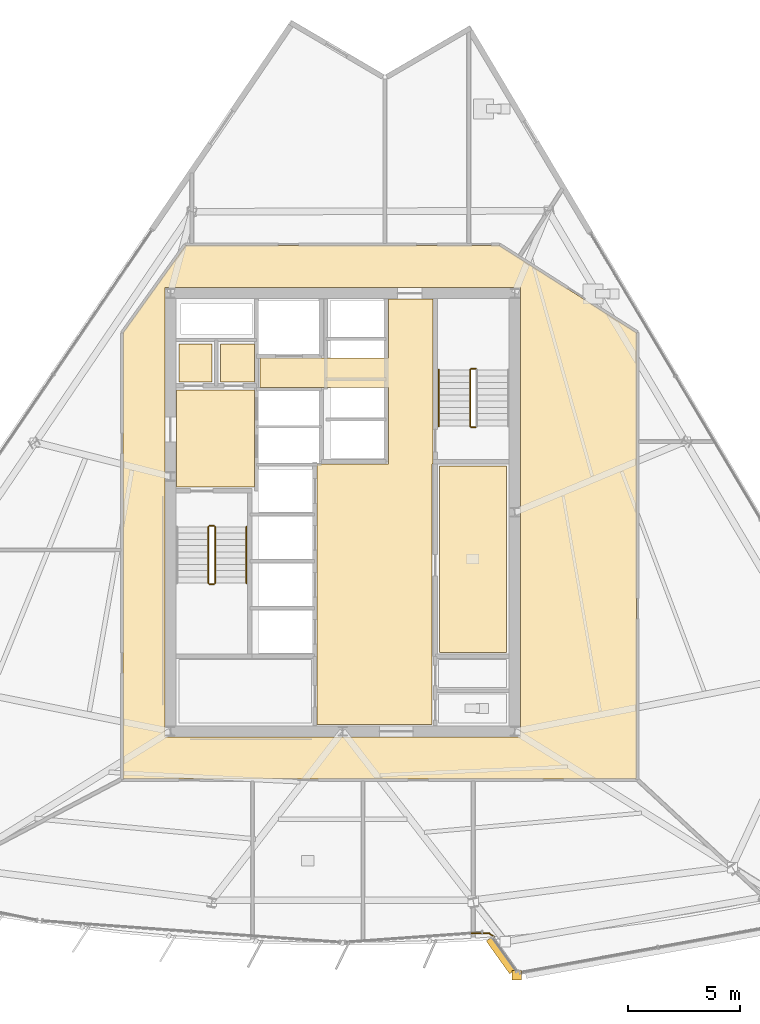
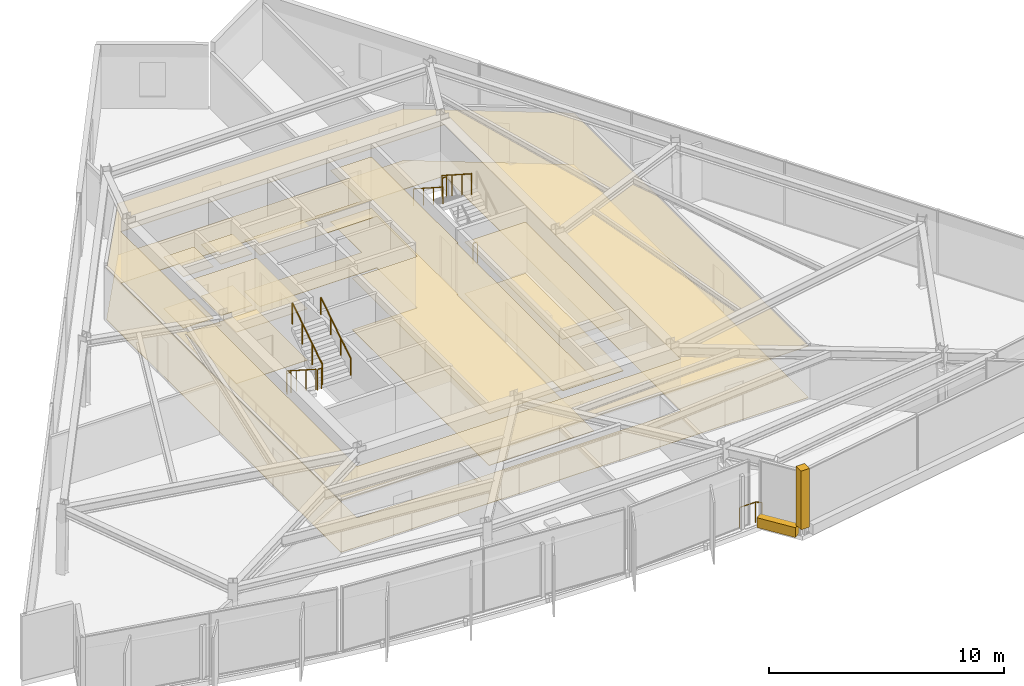
# One storey, part 10 of 12: 14 coverings, 10 railings.
"""IFC4 building model written with IfcOpenShell, lengths in metres."""

from ifc_helpers import new_model, si_unit, direction, frame, origin, origin_2d, place, context, subcontext, project, spatial, polyline, circle, outline, extrude, material, layer, layer_set, type_object, element, save


model = new_model("IFC4")

# Units and contexts
model_context = context("Model", 3, precision=1e-05, world=origin(), true_north=direction((0.0, 1.0)))
body_context = subcontext(model_context, "Body", "Model", "MODEL_VIEW")
ifc_project = project(units=[si_unit("LENGTHUNIT", "METRE"), si_unit("AREAUNIT", "SQUARE_METRE"), si_unit("VOLUMEUNIT", "CUBIC_METRE"), si_unit("PLANEANGLEUNIT", "RADIAN"), si_unit("MASSUNIT", "GRAM", prefix="KILO")], contexts=[model_context])

# Site, building, storey
site_placement = place(None, origin())
site = spatial("IfcSite", under=ifc_project, at=site_placement, CompositionType="ELEMENT")
building_placement = place(site_placement, origin())
building = spatial("IfcBuilding", under=site, at=building_placement, Name="Savorim Split Tower", CompositionType="ELEMENT")
storey_placement = place(building_placement, frame((0.0, 0.0, 171.0)))
storey = spatial("IfcBuildingStorey", under=building, at=storey_placement, Name="L45", CompositionType="ELEMENT", Elevation=171.0)

# Coverings
ifc_material_1 = material(Name="Mineral Fibre Acoustic Ceiling")
ifc_layer_1 = layer(ifc_material_1, 0.02490234375)
ifc_layer_set_1 = layer_set([ifc_layer_1], Name="COV-CEIL-25")
covering_type_1 = type_object("IfcCoveringType", Name="COV-CEIL-25", PredefinedType="CEILING", material=ifc_layer_set_1)
covering_1_placement = place(storey_placement, frame((0.0, 0.0, 2.669921875)))
element("IfcCovering", 1, at=covering_1_placement, inside=storey, type_object=covering_type_1, Name="L45 Firefighting Lift Lobby Acoustic Ceiling", PredefinedType="CEILING", context=body_context, shape_type="SweptSolid", body=[
    extrude(outline(polyline([(-7.429931640625, 5.8701171875), (-7.429931640625, 1.530029296875), (-3.929931640625, 1.530029296875), (-3.929931640625, 5.8701171875), (-7.429931640625, 5.8701171875)])), origin(), (0.0, 0.0, 1.0), 0.025146484375),
])
covering_2_placement = place(storey_placement, frame((0.0, 0.0, 2.669921875)))
element("IfcCovering", 2, at=covering_2_placement, inside=storey, type_object=covering_type_1, Name="L45 Electrical Riser Acoustic Ceiling", PredefinedType="CEILING", context=body_context, shape_type="SweptSolid", body=[
    extrude(outline(polyline([(-7.320068359375, 7.919921875), (-7.320068359375, 6.22998046875), (-5.830078125, 6.22998046875), (-5.830078125, 7.919921875), (-7.320068359375, 7.919921875)])), origin(), (0.0, 0.0, 1.0), 0.025146484375),
])
covering_3_placement = place(storey_placement, frame((0.0, 0.0, 2.669921875)))
element("IfcCovering", 3, at=covering_3_placement, inside=storey, type_object=covering_type_1, Name="L45 Telecom Riser Acoustic Ceiling", PredefinedType="CEILING", context=body_context, shape_type="SweptSolid", body=[
    extrude(outline(polyline([(-5.469970703125, 7.919921875), (-5.469970703125, 6.22998046875), (-3.929931640625, 6.22998046875), (-3.929931640625, 7.919921875), (-5.469970703125, 7.919921875)])), origin(), (0.0, 0.0, 1.0), 0.025146484375),
])
covering_4_placement = place(storey_placement, frame((0.0, 0.0, 2.669921875)))
element("IfcCovering", 4, at=covering_4_placement, inside=storey, type_object=covering_type_1, Name="L45 Lift Lobby Acoustic Ceiling", PredefinedType="CEILING", context=body_context, shape_type="SweptSolid", body=[
    extrude(outline(polyline([(2.050048828125, 2.550048828125), (-1.14990234375, 2.550048828125), (-1.14990234375, -9.10009765625), (4.0, -9.10009765625), (4.0, 2.550048828125), (4.050048828125, 2.550048828125), (4.050048828125, 5.97998046875), (4.050048828125, 7.300048828125), (4.050048828125, 9.929931640625), (2.050048828125, 9.929931640625), (2.050048828125, 7.300048828125), (-3.699951171875, 7.300048828125), (-3.699951171875, 5.97998046875), (2.050048828125, 5.97998046875), (2.050048828125, 2.550048828125)])), origin(), (0.0, 0.0, 1.0), 0.025146484375),
])
covering_5_placement = place(storey_placement, frame((0.0, 0.0, 2.669921875)))
element("IfcCovering", 5, at=covering_5_placement, inside=storey, type_object=covering_type_1, Name="L45 Community Laundry Room Acoustic Ceiling", PredefinedType="CEILING", context=body_context, shape_type="SweptSolid", body=[
    extrude(outline(polyline([(4.330078125, 2.469970703125), (4.330078125, -5.8701171875), (7.320068359375, -5.8701171875), (7.320068359375, 2.469970703125), (4.330078125, 2.469970703125)])), origin(), (0.0, 0.0, 1.0), 0.025146484375),
])
covering_6_placement = place(storey_placement, frame((0.0, 0.0, 2.669921875)))
element("IfcCovering", 6, at=covering_6_placement, inside=storey, type_object=covering_type_1, Name="L45 Corridor Acoustic Ceiling", PredefinedType="CEILING", context=body_context, shape_type="SweptSolid", body=[
    extrude(outline(polyline([(7.009521484375, 12.3291015625), (7.004638671875, 12.329833984375), (7.0, 12.330078125), (-7.0, 12.330078125), (-7.004638671875, 12.329833984375), (-7.009521484375, 12.3291015625), (-7.013916015625, 12.327880859375), (-7.0185546875, 12.326416015625), (-7.022705078125, 12.324462890625), (-7.027099609375, 12.322021484375), (-7.03076171875, 12.3193359375), (-7.034423828125, 12.31640625), (-7.03759765625, 12.312744140625), (-7.04052734375, 12.30908203125), (-9.820556640625, 8.42919921875), (-9.823486328125, 8.4248046875), (-9.82568359375, 8.420166015625), (-9.82763671875, 8.415283203125), (-9.828857421875, 8.410400390625), (-9.82958984375, 8.4052734375), (-9.830078125, 8.39990234375), (-9.830078125, -11.47998046875), (-9.829833984375, -11.48486328125), (-9.8291015625, -11.48974609375), (-9.827880859375, -11.494384765625), (-9.826171875, -11.4990234375), (-9.82421875, -11.503662109375), (-9.821533203125, -11.5078125), (-9.818603515625, -11.51171875), (-9.8154296875, -11.515380859375), (-9.811767578125, -11.518798828125), (-9.807861328125, -11.521484375), (-9.8037109375, -11.524169921875), (-9.799072265625, -11.526123046875), (-9.79443359375, -11.52783203125), (-9.789794921875, -11.529052734375), (-9.784912109375, -11.52978515625), (-9.780029296875, -11.530029296875), (13.10009765625, -11.530029296875), (13.10498046875, -11.52978515625), (13.10986328125, -11.529052734375), (13.114501953125, -11.52783203125), (13.119140625, -11.526123046875), (13.12353515625, -11.524169921875), (13.127685546875, -11.521484375), (13.131591796875, -11.518798828125), (13.135498046875, -11.515380859375), (13.138671875, -11.51171875), (13.1416015625, -11.5078125), (13.14404296875, -11.503662109375), (13.146240234375, -11.4990234375), (13.147705078125, -11.494384765625), (13.14892578125, -11.48974609375), (13.14990234375, -11.48486328125), (13.14990234375, -11.47998046875), (13.14990234375, 8.39990234375), (13.149658203125, 8.405029296875), (13.14892578125, 8.409912109375), (13.147705078125, 8.414794921875), (13.14599609375, 8.41943359375), (13.143798828125, 8.424072265625), (13.14111328125, 8.42822265625), (13.13818359375, 8.432373046875), (13.134765625, 8.43603515625), (13.130859375, 8.439208984375), (13.126708984375, 8.442138671875), (7.02685546875, 12.322265625), (7.022705078125, 12.324462890625), (7.018310546875, 12.326416015625), (7.013916015625, 12.327880859375), (7.009521484375, 12.3291015625)]), holes=[polyline([(-7.949951171875, 10.449951171875), (-7.949951171875, -9.64990234375), (7.949951171875, -9.64990234375), (7.949951171875, 10.449951171875), (-7.949951171875, 10.449951171875)])]), origin(), (0.0, 0.0, 1.0), 0.025146484375),
])
ifc_material_2 = material(Name="Porcelain Stoneware Flooring", Category="masonry")
ifc_layer_2 = layer(ifc_material_2, 0.02001953125)
ifc_layer_set_2 = layer_set([ifc_layer_2], Name="COV-FLOR-20")
covering_type_2 = type_object("IfcCoveringType", Name="COV-FLOR-20", PredefinedType="FLOORING", material=ifc_layer_set_2)
covering_7_placement = place(storey_placement, origin())
element("IfcCovering", 7, at=covering_7_placement, inside=storey, type_object=covering_type_2, Name="L45 Firefighting Lift Lobby Porcelain Flooring", PredefinedType="FLOORING", context=body_context, shape_type="SweptSolid", body=[
    extrude(outline(polyline([(-7.429931640625, 5.8701171875), (-7.429931640625, 1.530029296875), (-3.929931640625, 1.530029296875), (-3.929931640625, 5.8701171875), (-7.429931640625, 5.8701171875)])), origin(), (0.0, 0.0, 1.0), 0.02001953125),
])
covering_8_placement = place(storey_placement, origin())
element("IfcCovering", 8, at=covering_8_placement, inside=storey, type_object=covering_type_2, Name="L45 Electrical Riser Porcelain Flooring", PredefinedType="FLOORING", context=body_context, shape_type="SweptSolid", body=[
    extrude(outline(polyline([(-7.320068359375, 7.919921875), (-7.320068359375, 6.22998046875), (-5.830078125, 6.22998046875), (-5.830078125, 7.919921875), (-7.320068359375, 7.919921875)])), origin(), (0.0, 0.0, 1.0), 0.02001953125),
])
covering_9_placement = place(storey_placement, origin())
element("IfcCovering", 9, at=covering_9_placement, inside=storey, type_object=covering_type_2, Name="L45 Telecom Riser Porcelain Flooring", PredefinedType="FLOORING", context=body_context, shape_type="SweptSolid", body=[
    extrude(outline(polyline([(-5.469970703125, 7.919921875), (-5.469970703125, 6.22998046875), (-3.929931640625, 6.22998046875), (-3.929931640625, 7.919921875), (-5.469970703125, 7.919921875)])), origin(), (0.0, 0.0, 1.0), 0.02001953125),
])
covering_10_placement = place(storey_placement, origin())
element("IfcCovering", 10, at=covering_10_placement, inside=storey, type_object=covering_type_2, Name="L45 Lift Lobby Porcelain Flooring", PredefinedType="FLOORING", context=body_context, shape_type="SweptSolid", body=[
    extrude(outline(polyline([(2.050048828125, 2.550048828125), (-1.14990234375, 2.550048828125), (-1.14990234375, -9.10009765625), (4.0, -9.10009765625), (4.0, 2.550048828125), (4.050048828125, 2.550048828125), (4.050048828125, 5.97998046875), (4.050048828125, 7.300048828125), (4.050048828125, 9.929931640625), (2.050048828125, 9.929931640625), (2.050048828125, 7.300048828125), (-3.699951171875, 7.300048828125), (-3.699951171875, 5.97998046875), (2.050048828125, 5.97998046875), (2.050048828125, 2.550048828125)])), origin(), (0.0, 0.0, 1.0), 0.02001953125),
])
covering_11_placement = place(storey_placement, origin())
element("IfcCovering", 11, at=covering_11_placement, inside=storey, type_object=covering_type_2, Name="L45 Community Laundry Room Porcelain Flooring", PredefinedType="FLOORING", context=body_context, shape_type="SweptSolid", body=[
    extrude(outline(polyline([(4.330078125, 2.469970703125), (4.330078125, -5.8701171875), (7.320068359375, -5.8701171875), (7.320068359375, 2.469970703125), (4.330078125, 2.469970703125)])), origin(), (0.0, 0.0, 1.0), 0.02001953125),
])
covering_12_placement = place(storey_placement, origin())
element("IfcCovering", 12, at=covering_12_placement, inside=storey, type_object=covering_type_2, Name="L45 Corridor Porcelain Flooring", PredefinedType="FLOORING", context=body_context, shape_type="SweptSolid", body=[
    extrude(outline(polyline([(7.009521484375, 12.3291015625), (7.004638671875, 12.329833984375), (7.0, 12.330078125), (-7.0, 12.330078125), (-7.004638671875, 12.329833984375), (-7.009521484375, 12.3291015625), (-7.013916015625, 12.327880859375), (-7.0185546875, 12.326416015625), (-7.022705078125, 12.324462890625), (-7.027099609375, 12.322021484375), (-7.03076171875, 12.3193359375), (-7.034423828125, 12.31640625), (-7.03759765625, 12.312744140625), (-7.04052734375, 12.30908203125), (-9.820556640625, 8.42919921875), (-9.823486328125, 8.4248046875), (-9.82568359375, 8.420166015625), (-9.82763671875, 8.415283203125), (-9.828857421875, 8.410400390625), (-9.82958984375, 8.4052734375), (-9.830078125, 8.39990234375), (-9.830078125, -11.47998046875), (-9.829833984375, -11.48486328125), (-9.8291015625, -11.48974609375), (-9.827880859375, -11.494384765625), (-9.826171875, -11.4990234375), (-9.82421875, -11.503662109375), (-9.821533203125, -11.5078125), (-9.818603515625, -11.51171875), (-9.8154296875, -11.515380859375), (-9.811767578125, -11.518798828125), (-9.807861328125, -11.521484375), (-9.8037109375, -11.524169921875), (-9.799072265625, -11.526123046875), (-9.79443359375, -11.52783203125), (-9.789794921875, -11.529052734375), (-9.784912109375, -11.52978515625), (-9.780029296875, -11.530029296875), (13.10009765625, -11.530029296875), (13.10498046875, -11.52978515625), (13.10986328125, -11.529052734375), (13.114501953125, -11.52783203125), (13.119140625, -11.526123046875), (13.12353515625, -11.524169921875), (13.127685546875, -11.521484375), (13.131591796875, -11.518798828125), (13.135498046875, -11.515380859375), (13.138671875, -11.51171875), (13.1416015625, -11.5078125), (13.14404296875, -11.503662109375), (13.146240234375, -11.4990234375), (13.147705078125, -11.494384765625), (13.14892578125, -11.48974609375), (13.14990234375, -11.48486328125), (13.14990234375, -11.47998046875), (13.14990234375, 8.39990234375), (13.149658203125, 8.405029296875), (13.14892578125, 8.409912109375), (13.147705078125, 8.414794921875), (13.14599609375, 8.41943359375), (13.143798828125, 8.424072265625), (13.14111328125, 8.42822265625), (13.13818359375, 8.432373046875), (13.134765625, 8.43603515625), (13.130859375, 8.439208984375), (13.126708984375, 8.442138671875), (7.02685546875, 12.322265625), (7.022705078125, 12.324462890625), (7.018310546875, 12.326416015625), (7.013916015625, 12.327880859375), (7.009521484375, 12.3291015625)]), holes=[polyline([(-7.949951171875, 10.449951171875), (-7.949951171875, -9.64990234375), (7.949951171875, -9.64990234375), (7.949951171875, 10.449951171875), (-7.949951171875, 10.449951171875)])]), origin(), (0.0, 0.0, 1.0), 0.02001953125),
])
ifc_material_3 = material(Name="White Porcelain Architectural Cladding")
ifc_layer_3 = layer(ifc_material_3, 0.139892578125)
ifc_layer_set_3 = layer_set([ifc_layer_3], Name="COV-FRM-WHITE")
covering_type_3 = type_object("IfcCoveringType", Name="COV-FRM-WHITE", PredefinedType="CLADDING", material=ifc_layer_set_3)
covering_13_placement = place(storey_placement, frame((0.0, 0.0, 0.010009765625)))
element("IfcCovering", 13, at=covering_13_placement, inside=storey, type_object=covering_type_3, Name="L45 Cantilevered Lounge White Lower Frame Band W", PredefinedType="CLADDING", context=body_context, shape_type="SweptSolid", body=[
    extrude(outline(polyline([(6.42431640625, -18.7763671875), (7.47021484375, -20.2412109375), (7.746826171875, -20.043701171875), (6.700927734375, -18.578857421875), (6.42431640625, -18.7763671875)])), origin(), (0.0, 0.0, 1.0), 0.510009765625),
])
covering_14_placement = place(storey_placement, frame((0.0, 0.0, 0.5400390625)))
element("IfcCovering", 14, at=covering_14_placement, inside=storey, type_object=covering_type_3, Name="L45 Cantilevered Lounge White Frame Corner Post 1", PredefinedType="CLADDING", context=body_context, shape_type="SweptSolid", body=[
    extrude(outline(polyline([(7.57861328125, -20.518798828125), (7.99853515625, -20.518798828125), (7.99853515625, -20.0986328125), (7.57861328125, -20.0986328125), (7.57861328125, -20.518798828125)])), origin(), (0.0, 0.0, 1.0), 3.050048828125),
])

# Railings
ifc_material_4 = material(Name="Galvanised Painted Steel Balustrade", Category="steel")
railing_type_1 = type_object("IfcRailingType", Name="RLG-BAL-1100", PredefinedType="BALUSTRADE", material=ifc_material_4)
railing_1_placement = place(storey_placement, frame((5.776611328125, -18.433349609375, 0.0)))
element("IfcRailing", 15, at=railing_1_placement, inside=storey, type_object=railing_type_1, Name="L45 Cantilevered Lounge West Edge Closure Guard", PredefinedType="BALUSTRADE", context=body_context, shape_type="SweptSolid", body=[
    extrude(circle(Radius=0.02392578125, at=origin_2d()), frame((0.0, 0.0, 1.076171875), z_axis=(1.0, 0.0, 0.0), x_axis=(0.0, 1.0, 0.0)), (0.0, 0.0, 1.0), 0.780029296875),
    extrude(circle(Radius=0.02392578125, at=origin_2d()), frame((0.780029296875, 0.0, 1.076171875), z_axis=(0.823681517704, -0.567052693665, 0.0), x_axis=(0.567052693665, 0.823681517704, 0.0)), (0.0, 0.0, 1.0), 0.27685546875),
    extrude(circle(Radius=0.02099609375, at=origin_2d()), origin(), (0.0, 0.0, 1.0), 1.052001953125),
    extrude(circle(Radius=0.02099609375, at=origin_2d()), frame((0.780029296875, 0.0, 0.0)), (0.0, 0.0, 1.0), 1.052001953125),
    extrude(circle(Radius=0.02099609375, at=origin_2d()), frame((1.008056640625, -0.156982421875, 0.0)), (0.0, 0.0, 1.0), 1.052001953125),
])
railing_type_2 = type_object("IfcRailingType", Name="RLG-HR-900", PredefinedType="HANDRAIL", material=ifc_material_4)
railing_2_placement = place(storey_placement, frame((-4.300048828125, -2.77001953125, 1.97998046875)))
element("IfcRailing", 16, at=railing_2_placement, inside=storey, type_object=railing_type_2, Name="L45 ST-1 stair handrail 2", PredefinedType="HANDRAIL", context=body_context, shape_type="SweptSolid", body=[
    extrude(circle(Radius=0.02392578125, at=origin_2d()), frame((0.0, 0.0, 0.8759765625), z_axis=(0.0, 0.841162588446, 0.540782303519), x_axis=(-1.0, 0.0, 0.0)), (0.0, 0.0, 1.0), 2.995849609375),
    extrude(circle(Radius=0.02099609375, at=origin_2d()), origin(), (0.0, 0.0, 1.0), 0.851806640625),
    extrude(circle(Radius=0.02099609375, at=origin_2d()), frame((0.0, 0.840087890625, 0.5400390625)), (0.0, 0.0, 1.0), 0.851806640625),
    extrude(circle(Radius=0.02099609375, at=origin_2d()), frame((0.0, 1.679931640625, 1.080078125)), (0.0, 0.0, 1.0), 0.851806640625),
    extrude(circle(Radius=0.02099609375, at=origin_2d()), frame((0.0, 2.52001953125, 1.6201171875)), (0.0, 0.0, 1.0), 0.851806640625),
])
railing_3_placement = place(storey_placement, frame((4.300048828125, 6.77001953125, 1.97998046875)))
element("IfcRailing", 17, at=railing_3_placement, inside=storey, type_object=railing_type_2, Name="L45 ST-2 stair handrail 2", PredefinedType="HANDRAIL", context=body_context, shape_type="SweptSolid", body=[
    extrude(circle(Radius=0.02392578125, at=origin_2d()), frame((0.0, 0.0, 0.8759765625), z_axis=(0.0, -0.841162588446, 0.540782303519), x_axis=(1.0, 0.0, 0.0)), (0.0, 0.0, 1.0), 2.995849609375),
    extrude(circle(Radius=0.02099609375, at=origin_2d()), origin(), (0.0, 0.0, 1.0), 0.851806640625),
    extrude(circle(Radius=0.02099609375, at=origin_2d()), frame((0.0, -0.840087890625, 0.5400390625)), (0.0, 0.0, 1.0), 0.851806640625),
    extrude(circle(Radius=0.02099609375, at=origin_2d()), frame((0.0, -1.679931640625, 1.080078125)), (0.0, 0.0, 1.0), 0.851806640625),
    extrude(circle(Radius=0.02099609375, at=origin_2d()), frame((0.0, -2.52001953125, 1.6201171875)), (0.0, 0.0, 1.0), 0.851806640625),
])
railing_type_3 = type_object("IfcRailingType", Name="RLG-STG-1100", PredefinedType="BALUSTRADE", material=ifc_material_4)
railing_4_placement = place(storey_placement, frame((-6.0, -0.25, 0.179931640625)))
element("IfcRailing", 18, at=railing_4_placement, inside=storey, type_object=railing_type_3, Name="L45 ST-1 stair guard 1", PredefinedType="BALUSTRADE", context=body_context, shape_type="SweptSolid", body=[
    extrude(circle(Radius=0.02392578125, at=origin_2d()), frame((0.0, 0.0, 1.076171875), z_axis=(0.0, -0.841162588446, 0.540782303519), x_axis=(1.0, 0.0, 0.0)), (0.0, 0.0, 1.0), 2.995849609375),
    extrude(circle(Radius=0.02099609375, at=origin_2d()), origin(), (0.0, 0.0, 1.0), 1.052001953125),
    extrude(circle(Radius=0.02099609375, at=origin_2d()), frame((0.0, -0.840087890625, 0.5400390625)), (0.0, 0.0, 1.0), 1.052001953125),
    extrude(circle(Radius=0.02099609375, at=origin_2d()), frame((0.0, -1.679931640625, 1.080078125)), (0.0, 0.0, 1.0), 1.052001953125),
    extrude(circle(Radius=0.02099609375, at=origin_2d()), frame((0.0, -2.52001953125, 1.6201171875)), (0.0, 0.0, 1.0), 1.052001953125),
])
railing_5_placement = place(storey_placement, frame((-5.949951171875, -2.820068359375, 1.800048828125)))
element("IfcRailing", 19, at=railing_5_placement, inside=storey, type_object=railing_type_3, Name="L45 ST-1 stair guard 2", PredefinedType="BALUSTRADE", context=body_context, shape_type="SweptSolid", body=[
    extrude(circle(Radius=0.02392578125, at=origin_2d()), frame((0.0, 0.0, 1.076171875), z_axis=(1.0, 0.0, 0.0), x_axis=(0.0, 1.0, 0.0)), (0.0, 0.0, 1.0), 0.199951171875),
    extrude(circle(Radius=0.02099609375, at=origin_2d()), origin(), (0.0, 0.0, 1.0), 1.052001953125),
    extrude(circle(Radius=0.02099609375, at=origin_2d()), frame((0.199951171875, 0.0, 0.0)), (0.0, 0.0, 1.0), 1.052001953125),
])
railing_6_placement = place(storey_placement, frame((-5.699951171875, -2.77001953125, 1.97998046875)))
element("IfcRailing", 20, at=railing_6_placement, inside=storey, type_object=railing_type_3, Name="L45 ST-1 stair guard 3", PredefinedType="BALUSTRADE", context=body_context, shape_type="SweptSolid", body=[
    extrude(circle(Radius=0.02392578125, at=origin_2d()), frame((0.0, 0.0, 1.076171875), z_axis=(0.0, 0.841162588446, 0.540782303519), x_axis=(-1.0, 0.0, 0.0)), (0.0, 0.0, 1.0), 2.995849609375),
    extrude(circle(Radius=0.02099609375, at=origin_2d()), origin(), (0.0, 0.0, 1.0), 1.052001953125),
    extrude(circle(Radius=0.02099609375, at=origin_2d()), frame((0.0, 0.840087890625, 0.5400390625)), (0.0, 0.0, 1.0), 1.052001953125),
    extrude(circle(Radius=0.02099609375, at=origin_2d()), frame((0.0, 1.679931640625, 1.080078125)), (0.0, 0.0, 1.0), 1.052001953125),
    extrude(circle(Radius=0.02099609375, at=origin_2d()), frame((0.0, 2.52001953125, 1.6201171875)), (0.0, 0.0, 1.0), 1.052001953125),
])
railing_7_placement = place(storey_placement, frame((-5.949951171875, -0.199951171875, 0.0)))
element("IfcRailing", 21, at=railing_7_placement, inside=storey, type_object=railing_type_3, Name="L45 ST-1 stair guard 4", PredefinedType="BALUSTRADE", context=body_context, shape_type="SweptSolid", body=[
    extrude(circle(Radius=0.02392578125, at=origin_2d()), frame((0.0, 0.0, 1.076171875), z_axis=(1.0, 0.0, 0.0), x_axis=(0.0, 1.0, 0.0)), (0.0, 0.0, 1.0), 0.199951171875),
    extrude(circle(Radius=0.02099609375, at=origin_2d()), origin(), (0.0, 0.0, 1.0), 1.052001953125),
    extrude(circle(Radius=0.02099609375, at=origin_2d()), frame((0.199951171875, 0.0, 0.0)), (0.0, 0.0, 1.0), 1.052001953125),
])
railing_8_placement = place(storey_placement, frame((5.949951171875, 6.820068359375, 1.800048828125)))
element("IfcRailing", 22, at=railing_8_placement, inside=storey, type_object=railing_type_3, Name="L45 ST-2 stair guard 2", PredefinedType="BALUSTRADE", context=body_context, shape_type="SweptSolid", body=[
    extrude(circle(Radius=0.02392578125, at=origin_2d()), frame((0.0, 0.0, 1.076171875), z_axis=(-1.0, 0.0, 0.0), x_axis=(0.0, -1.0, 0.0)), (0.0, 0.0, 1.0), 0.199951171875),
    extrude(circle(Radius=0.02099609375, at=origin_2d()), origin(), (0.0, 0.0, 1.0), 1.052001953125),
    extrude(circle(Radius=0.02099609375, at=origin_2d()), frame((-0.199951171875, 0.0, 0.0)), (0.0, 0.0, 1.0), 1.052001953125),
])
railing_9_placement = place(storey_placement, frame((5.699951171875, 6.77001953125, 1.97998046875)))
element("IfcRailing", 23, at=railing_9_placement, inside=storey, type_object=railing_type_3, Name="L45 ST-2 stair guard 3", PredefinedType="BALUSTRADE", context=body_context, shape_type="SweptSolid", body=[
    extrude(circle(Radius=0.02392578125, at=origin_2d()), frame((0.0, 0.0, 1.076171875), z_axis=(0.0, -0.841162588446, 0.540782303519), x_axis=(1.0, 0.0, 0.0)), (0.0, 0.0, 1.0), 2.995849609375),
    extrude(circle(Radius=0.02099609375, at=origin_2d()), origin(), (0.0, 0.0, 1.0), 1.052001953125),
    extrude(circle(Radius=0.02099609375, at=origin_2d()), frame((0.0, -0.840087890625, 0.5400390625)), (0.0, 0.0, 1.0), 1.052001953125),
    extrude(circle(Radius=0.02099609375, at=origin_2d()), frame((0.0, -1.679931640625, 1.080078125)), (0.0, 0.0, 1.0), 1.052001953125),
    extrude(circle(Radius=0.02099609375, at=origin_2d()), frame((0.0, -2.52001953125, 1.6201171875)), (0.0, 0.0, 1.0), 1.052001953125),
])
railing_10_placement = place(storey_placement, frame((5.949951171875, 4.199951171875, 0.0)))
element("IfcRailing", 24, at=railing_10_placement, inside=storey, type_object=railing_type_3, Name="L45 ST-2 stair guard 4", PredefinedType="BALUSTRADE", context=body_context, shape_type="SweptSolid", body=[
    extrude(circle(Radius=0.02392578125, at=origin_2d()), frame((0.0, 0.0, 1.076171875), z_axis=(-1.0, 0.0, 0.0), x_axis=(0.0, -1.0, 0.0)), (0.0, 0.0, 1.0), 0.199951171875),
    extrude(circle(Radius=0.02099609375, at=origin_2d()), origin(), (0.0, 0.0, 1.0), 1.052001953125),
    extrude(circle(Radius=0.02099609375, at=origin_2d()), frame((-0.199951171875, 0.0, 0.0)), (0.0, 0.0, 1.0), 1.052001953125),
])

save(model, "model.ifc")
